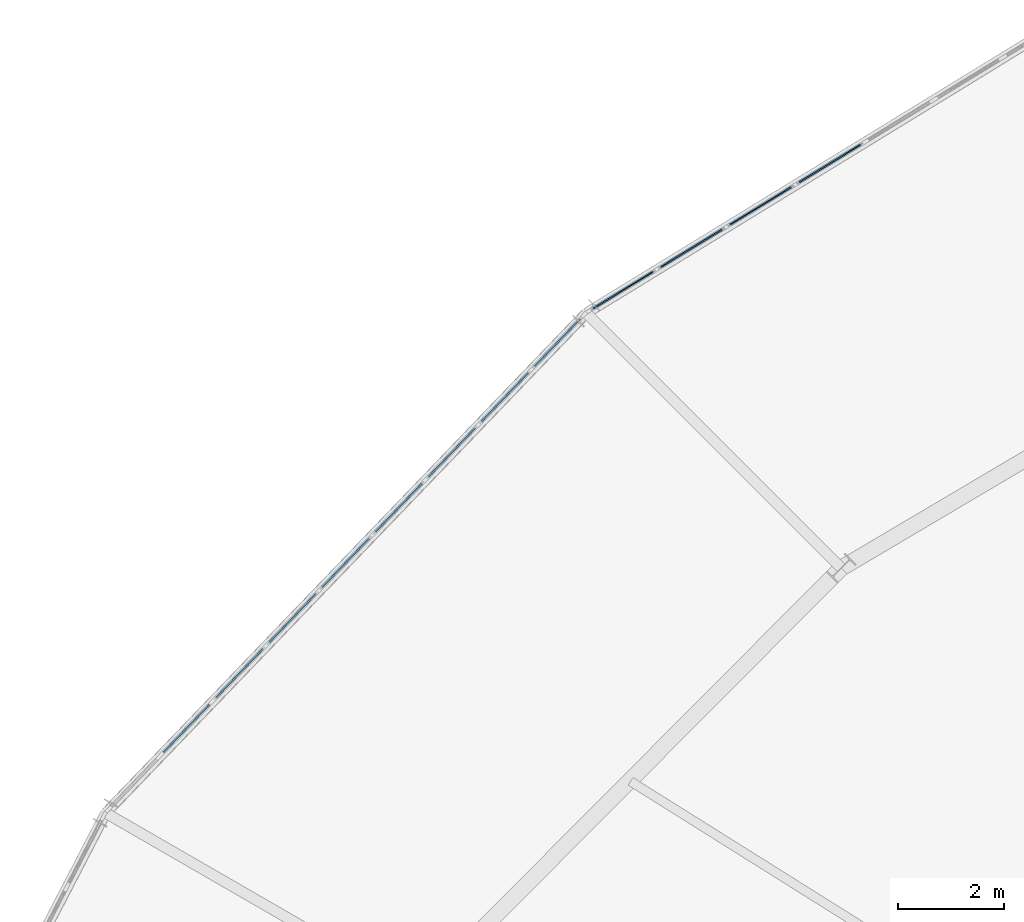
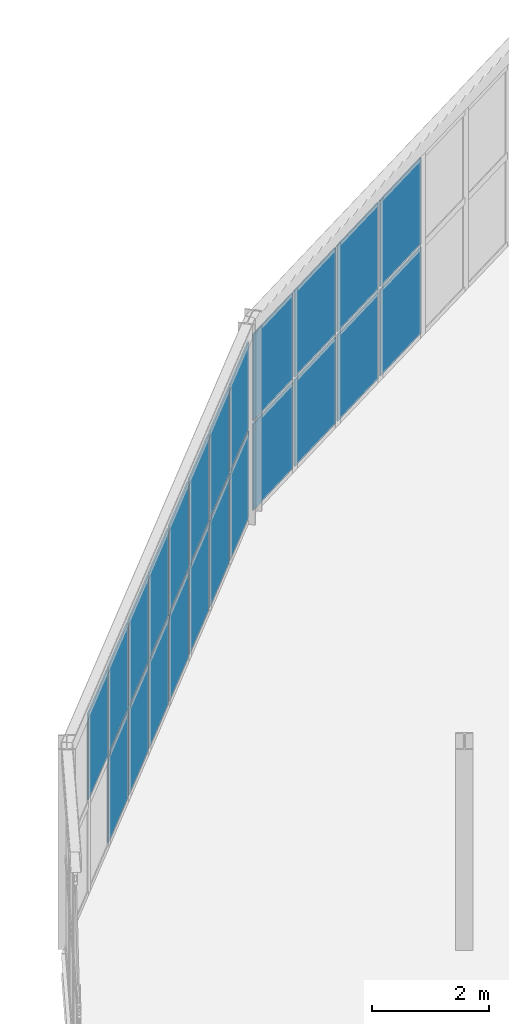
# One storey, part 114 of 161: 23 plates, 2 elements without a shape of their own.
"""IFC4 building model written with IfcOpenShell, lengths in metres."""

from ifc_helpers import new_model, si_unit, direction, frame, origin, origin_2d, place, context, subcontext, project, spatial, rectangle, extrude, material, layer, layer_set, type_object, element, aggregate, save


model = new_model("IFC4")

# Units and contexts
model_context = context("Model", 3, precision=1e-05, world=origin(), true_north=direction((0.0, 1.0)))
body_context = subcontext(model_context, "Body", "Model", "MODEL_VIEW")
ifc_project = project(units=[si_unit("LENGTHUNIT", "METRE"), si_unit("AREAUNIT", "SQUARE_METRE"), si_unit("VOLUMEUNIT", "CUBIC_METRE"), si_unit("PLANEANGLEUNIT", "RADIAN"), si_unit("MASSUNIT", "GRAM", prefix="KILO")], contexts=[model_context])

# Site, building, storey
site_placement = place(None, origin())
site = spatial("IfcSite", under=ifc_project, at=site_placement, CompositionType="ELEMENT")
building_placement = place(site_placement, origin())
building = spatial("IfcBuilding", under=site, at=building_placement, Name="Kildeholm Park Wholesale Market", CompositionType="ELEMENT")
storey_placement = place(building_placement, frame((0.0, 0.0, 5.39990234375)))
storey = spatial("IfcBuildingStorey", under=building, at=storey_placement, Name="L01", CompositionType="ELEMENT", Elevation=5.39990234375)

# Curtain wall, plates
ifc_material_1 = material(Name="Anodised aluminium and low-E double-glazed glass", Category="aluminium")
curtain_wall_type = type_object("IfcCurtainWallType", Name="Market hall glazed arcade stick curtain wall CW-01", PredefinedType="NOTDEFINED", material=ifc_material_1)
curtain_wall_1_placement = place(storey_placement, origin())
curtain_wall_1 = element("IfcCurtainWall", 1, at=curtain_wall_1_placement, inside=storey, type_object=curtain_wall_type, Name="Curtain wall CW-V1-OT-08-1 CW-0039", PredefinedType="NOTDEFINED")
ifc_material_2 = material(Name="Double-glazed low-E insulated glass", Category="glass")
ifc_layer = layer(ifc_material_2, 0.028076171875)
ifc_layer_set = layer_set([ifc_layer], Name="Double-glazed low-E insulated glass")
plate_type = type_object("IfcPlateType", Name="Curtain-wall panel CWP-1 28 mm", PredefinedType="CURTAIN_PANEL", material=ifc_layer_set)
plate_1_placement = place(storey_placement, frame((63.289794921875, 124.49365234375, 0.06494140625), z_axis=(0.0, 0.0, 1.0), x_axis=(-0.852771402766, -0.522284342695, 0.0)))
plate_1 = element("IfcPlate", 2, at=plate_1_placement, type_object=plate_type, Name="CW-01 panel 6.1 PLT-0702", PredefinedType="CURTAIN_PANEL", context=body_context, shape_type="SweptSolid", body=[
    extrude(rectangle(XDim=1.46435546875, YDim=0.028076171875, at=origin_2d()), origin(), (0.0, 0.0, 1.0), 1.802490234375),
])
plate_2_placement = place(storey_placement, frame((63.289794921875, 124.49365234375, 1.9326171875), z_axis=(0.0, 0.0, 1.0), x_axis=(-0.852771402766, -0.522284342695, 0.0)))
plate_2 = element("IfcPlate", 3, at=plate_2_placement, type_object=plate_type, Name="CW-01 panel 6.2 PLT-0703", PredefinedType="CURTAIN_PANEL", context=body_context, shape_type="SweptSolid", body=[
    extrude(rectangle(XDim=1.46435546875, YDim=0.028076171875, at=origin_2d()), origin(), (0.0, 0.0, 1.0), 1.802490234375),
])
plate_3_placement = place(storey_placement, frame((61.985595703125, 123.69482421875, 0.06494140625), z_axis=(0.0, 0.0, 1.0), x_axis=(-0.852771402766, -0.522284342695, 0.0)))
plate_3 = element("IfcPlate", 4, at=plate_3_placement, type_object=plate_type, Name="CW-01 panel 7.1 PLT-0704", PredefinedType="CURTAIN_PANEL", context=body_context, shape_type="SweptSolid", body=[
    extrude(rectangle(XDim=1.46435546875, YDim=0.028076171875, at=origin_2d()), origin(), (0.0, 0.0, 1.0), 1.802490234375),
])
plate_4_placement = place(storey_placement, frame((61.985595703125, 123.69482421875, 1.9326171875), z_axis=(0.0, 0.0, 1.0), x_axis=(-0.852771402766, -0.522284342695, 0.0)))
plate_4 = element("IfcPlate", 5, at=plate_4_placement, type_object=plate_type, Name="CW-01 panel 7.2 PLT-0705", PredefinedType="CURTAIN_PANEL", context=body_context, shape_type="SweptSolid", body=[
    extrude(rectangle(XDim=1.46435546875, YDim=0.028076171875, at=origin_2d()), origin(), (0.0, 0.0, 1.0), 1.802490234375),
])
plate_5_placement = place(storey_placement, frame((60.681396484375, 122.896240234375, 0.06494140625), z_axis=(0.0, 0.0, 1.0), x_axis=(-0.852771402766, -0.522284342695, 0.0)))
plate_5 = element("IfcPlate", 6, at=plate_5_placement, type_object=plate_type, Name="CW-01 panel 8.1 PLT-0706", PredefinedType="CURTAIN_PANEL", context=body_context, shape_type="SweptSolid", body=[
    extrude(rectangle(XDim=1.46435546875, YDim=0.028076171875, at=origin_2d()), origin(), (0.0, 0.0, 1.0), 1.802490234375),
])
plate_6_placement = place(storey_placement, frame((60.681396484375, 122.896240234375, 1.9326171875), z_axis=(0.0, 0.0, 1.0), x_axis=(-0.852771402766, -0.522284342695, 0.0)))
plate_6 = element("IfcPlate", 7, at=plate_6_placement, type_object=plate_type, Name="CW-01 panel 8.2 PLT-0707", PredefinedType="CURTAIN_PANEL", context=body_context, shape_type="SweptSolid", body=[
    extrude(rectangle(XDim=1.46435546875, YDim=0.028076171875, at=origin_2d()), origin(), (0.0, 0.0, 1.0), 1.802490234375),
])
plate_7_placement = place(storey_placement, frame((59.390869140625, 122.10595703125, 0.06494140625), z_axis=(0.0, 0.0, 1.0), x_axis=(-0.852771402766, -0.522284342695, 0.0)))
plate_7 = element("IfcPlate", 8, at=plate_7_placement, type_object=plate_type, Name="CW-01 panel 9.1 PLT-0708", PredefinedType="CURTAIN_PANEL", context=body_context, shape_type="SweptSolid", body=[
    extrude(rectangle(XDim=1.431884765625, YDim=0.028076171875, at=origin_2d()), origin(), (0.0, 0.0, 1.0), 1.802490234375),
])
plate_8_placement = place(storey_placement, frame((59.390869140625, 122.10595703125, 1.9326171875), z_axis=(0.0, 0.0, 1.0), x_axis=(-0.852771402766, -0.522284342695, 0.0)))
plate_8 = element("IfcPlate", 9, at=plate_8_placement, type_object=plate_type, Name="CW-01 panel 9.2 PLT-0709", PredefinedType="CURTAIN_PANEL", context=body_context, shape_type="SweptSolid", body=[
    extrude(rectangle(XDim=1.431884765625, YDim=0.028076171875, at=origin_2d()), origin(), (0.0, 0.0, 1.0), 1.802490234375),
])
aggregate(curtain_wall_1, [plate_1, plate_2, plate_3, plate_4, plate_5, plate_6, plate_7, plate_8])

curtain_wall_2_placement = place(storey_placement, origin())
curtain_wall_2 = element("IfcCurtainWall", 10, at=curtain_wall_2_placement, inside=storey, type_object=curtain_wall_type, Name="Curtain wall CW-V1-OT-09-1 CW-0044", PredefinedType="NOTDEFINED")
plate_9_placement = place(storey_placement, frame((58.151611328125, 121.115966796875, 0.06494140625), z_axis=(0.0, 0.0, 1.0), x_axis=(-0.69303795493, -0.720901097951, 0.0)))
plate_9 = element("IfcPlate", 11, at=plate_9_placement, type_object=plate_type, Name="CW-01 panel 1.1 PLT-0762", PredefinedType="CURTAIN_PANEL", context=body_context, shape_type="SweptSolid", body=[
    extrude(rectangle(XDim=1.345947265625, YDim=0.028076171875, at=origin_2d()), origin(), (0.0, 0.0, 1.0), 1.802490234375),
])
plate_10_placement = place(storey_placement, frame((58.151611328125, 121.115966796875, 1.9326171875), z_axis=(0.0, 0.0, 1.0), x_axis=(-0.69303795493, -0.720901097951, 0.0)))
plate_10 = element("IfcPlate", 12, at=plate_10_placement, type_object=plate_type, Name="CW-01 panel 1.2 PLT-0763", PredefinedType="CURTAIN_PANEL", context=body_context, shape_type="SweptSolid", body=[
    extrude(rectangle(XDim=1.345947265625, YDim=0.028076171875, at=origin_2d()), origin(), (0.0, 0.0, 1.0), 1.802490234375),
])
plate_11_placement = place(storey_placement, frame((57.162353515625, 120.0869140625, 0.06494140625), z_axis=(0.0, 0.0, 1.0), x_axis=(-0.69303795493, -0.720901097951, 0.0)))
plate_11 = element("IfcPlate", 13, at=plate_11_placement, type_object=plate_type, Name="CW-01 panel 2.1 PLT-0764", PredefinedType="CURTAIN_PANEL", context=body_context, shape_type="SweptSolid", body=[
    extrude(rectangle(XDim=1.378662109375, YDim=0.028076171875, at=origin_2d()), origin(), (0.0, 0.0, 1.0), 1.802490234375),
])
plate_12_placement = place(storey_placement, frame((57.162353515625, 120.0869140625, 1.9326171875), z_axis=(0.0, 0.0, 1.0), x_axis=(-0.69303795493, -0.720901097951, 0.0)))
plate_12 = element("IfcPlate", 14, at=plate_12_placement, type_object=plate_type, Name="CW-01 panel 2.2 PLT-0765", PredefinedType="CURTAIN_PANEL", context=body_context, shape_type="SweptSolid", body=[
    extrude(rectangle(XDim=1.378662109375, YDim=0.028076171875, at=origin_2d()), origin(), (0.0, 0.0, 1.0), 1.802490234375),
])
plate_13_placement = place(storey_placement, frame((56.161865234375, 119.04638671875, 0.06494140625), z_axis=(0.0, 0.0, 1.0), x_axis=(-0.69303795493, -0.720901097951, 0.0)))
plate_13 = element("IfcPlate", 15, at=plate_13_placement, type_object=plate_type, Name="CW-01 panel 3.1 PLT-0766", PredefinedType="CURTAIN_PANEL", context=body_context, shape_type="SweptSolid", body=[
    extrude(rectangle(XDim=1.378662109375, YDim=0.028076171875, at=origin_2d()), origin(), (0.0, 0.0, 1.0), 1.802490234375),
])
plate_14_placement = place(storey_placement, frame((56.161865234375, 119.04638671875, 1.9326171875), z_axis=(0.0, 0.0, 1.0), x_axis=(-0.69303795493, -0.720901097951, 0.0)))
plate_14 = element("IfcPlate", 16, at=plate_14_placement, type_object=plate_type, Name="CW-01 panel 3.2 PLT-0767", PredefinedType="CURTAIN_PANEL", context=body_context, shape_type="SweptSolid", body=[
    extrude(rectangle(XDim=1.378662109375, YDim=0.028076171875, at=origin_2d()), origin(), (0.0, 0.0, 1.0), 1.802490234375),
])
plate_15_placement = place(storey_placement, frame((55.161376953125, 118.005615234375, 0.06494140625), z_axis=(0.0, 0.0, 1.0), x_axis=(-0.69303795493, -0.720901097951, 0.0)))
plate_15 = element("IfcPlate", 17, at=plate_15_placement, type_object=plate_type, Name="CW-01 panel 4.1 PLT-0768", PredefinedType="CURTAIN_PANEL", context=body_context, shape_type="SweptSolid", body=[
    extrude(rectangle(XDim=1.378662109375, YDim=0.028076171875, at=origin_2d()), origin(), (0.0, 0.0, 1.0), 1.802490234375),
])
plate_16_placement = place(storey_placement, frame((55.161376953125, 118.005615234375, 1.9326171875), z_axis=(0.0, 0.0, 1.0), x_axis=(-0.69303795493, -0.720901097951, 0.0)))
plate_16 = element("IfcPlate", 18, at=plate_16_placement, type_object=plate_type, Name="CW-01 panel 4.2 PLT-0769", PredefinedType="CURTAIN_PANEL", context=body_context, shape_type="SweptSolid", body=[
    extrude(rectangle(XDim=1.378662109375, YDim=0.028076171875, at=origin_2d()), origin(), (0.0, 0.0, 1.0), 1.802490234375),
])
plate_17_placement = place(storey_placement, frame((54.160888671875, 116.965087890625, 0.06494140625), z_axis=(0.0, 0.0, 1.0), x_axis=(-0.69303795493, -0.720901097951, 0.0)))
plate_17 = element("IfcPlate", 19, at=plate_17_placement, type_object=plate_type, Name="CW-01 panel 5.1 PLT-0770", PredefinedType="CURTAIN_PANEL", context=body_context, shape_type="SweptSolid", body=[
    extrude(rectangle(XDim=1.378662109375, YDim=0.028076171875, at=origin_2d()), origin(), (0.0, 0.0, 1.0), 1.802490234375),
])
plate_18_placement = place(storey_placement, frame((54.160888671875, 116.965087890625, 1.9326171875), z_axis=(0.0, 0.0, 1.0), x_axis=(-0.69303795493, -0.720901097951, 0.0)))
plate_18 = element("IfcPlate", 20, at=plate_18_placement, type_object=plate_type, Name="CW-01 panel 5.2 PLT-0771", PredefinedType="CURTAIN_PANEL", context=body_context, shape_type="SweptSolid", body=[
    extrude(rectangle(XDim=1.378662109375, YDim=0.028076171875, at=origin_2d()), origin(), (0.0, 0.0, 1.0), 1.802490234375),
])
plate_19_placement = place(storey_placement, frame((53.16064453125, 115.92431640625, 0.06494140625), z_axis=(0.0, 0.0, 1.0), x_axis=(-0.69303795493, -0.720901097951, 0.0)))
plate_19 = element("IfcPlate", 21, at=plate_19_placement, type_object=plate_type, Name="CW-01 panel 6.1 PLT-0772", PredefinedType="CURTAIN_PANEL", context=body_context, shape_type="SweptSolid", body=[
    extrude(rectangle(XDim=1.378662109375, YDim=0.028076171875, at=origin_2d()), origin(), (0.0, 0.0, 1.0), 1.802490234375),
])
plate_20_placement = place(storey_placement, frame((53.16064453125, 115.92431640625, 1.9326171875), z_axis=(0.0, 0.0, 1.0), x_axis=(-0.69303795493, -0.720901097951, 0.0)))
plate_20 = element("IfcPlate", 22, at=plate_20_placement, type_object=plate_type, Name="CW-01 panel 6.2 PLT-0773", PredefinedType="CURTAIN_PANEL", context=body_context, shape_type="SweptSolid", body=[
    extrude(rectangle(XDim=1.378662109375, YDim=0.028076171875, at=origin_2d()), origin(), (0.0, 0.0, 1.0), 1.802490234375),
])
plate_21_placement = place(storey_placement, frame((52.16015625, 114.883544921875, 0.06494140625), z_axis=(0.0, 0.0, 1.0), x_axis=(-0.69303795493, -0.720901097951, 0.0)))
plate_21 = element("IfcPlate", 23, at=plate_21_placement, type_object=plate_type, Name="CW-01 panel 7.1 PLT-0774", PredefinedType="CURTAIN_PANEL", context=body_context, shape_type="SweptSolid", body=[
    extrude(rectangle(XDim=1.378662109375, YDim=0.028076171875, at=origin_2d()), origin(), (0.0, 0.0, 1.0), 1.802490234375),
])
plate_22_placement = place(storey_placement, frame((52.16015625, 114.883544921875, 1.9326171875), z_axis=(0.0, 0.0, 1.0), x_axis=(-0.69303795493, -0.720901097951, 0.0)))
plate_22 = element("IfcPlate", 24, at=plate_22_placement, type_object=plate_type, Name="CW-01 panel 7.2 PLT-0775", PredefinedType="CURTAIN_PANEL", context=body_context, shape_type="SweptSolid", body=[
    extrude(rectangle(XDim=1.378662109375, YDim=0.028076171875, at=origin_2d()), origin(), (0.0, 0.0, 1.0), 1.802490234375),
])
plate_23_placement = place(storey_placement, frame((51.15966796875, 113.843017578125, 1.9326171875), z_axis=(0.0, 0.0, 1.0), x_axis=(-0.69303795493, -0.720901097951, 0.0)))
plate_23 = element("IfcPlate", 25, at=plate_23_placement, type_object=plate_type, Name="CW-01 panel 8.2 PLT-0777", PredefinedType="CURTAIN_PANEL", context=body_context, shape_type="SweptSolid", body=[
    extrude(rectangle(XDim=1.378662109375, YDim=0.028076171875, at=origin_2d()), origin(), (0.0, 0.0, 1.0), 1.802490234375),
])
aggregate(curtain_wall_2, [plate_9, plate_10, plate_11, plate_12, plate_13, plate_14, plate_15, plate_16, plate_17, plate_18, plate_19, plate_20, plate_21, plate_22, plate_23])

save(model, "model.ifc")
